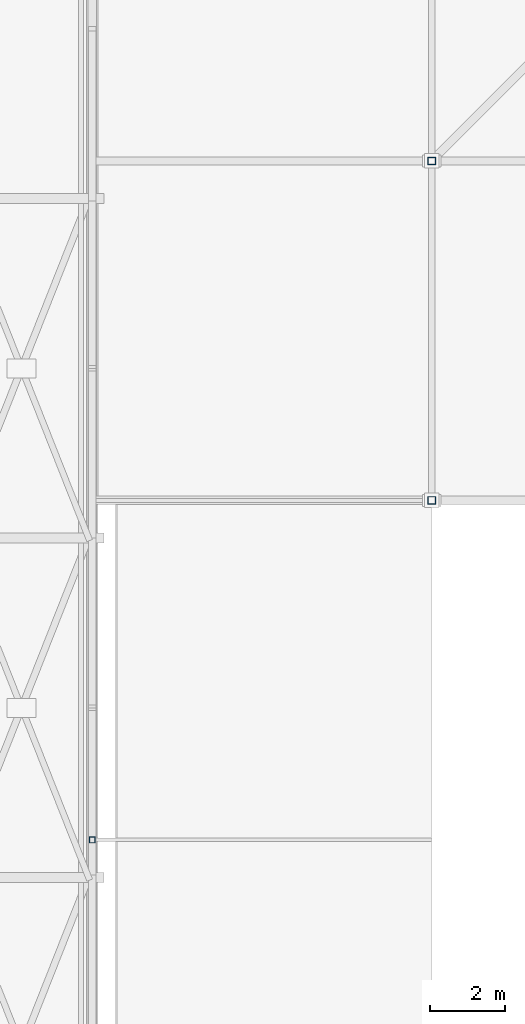
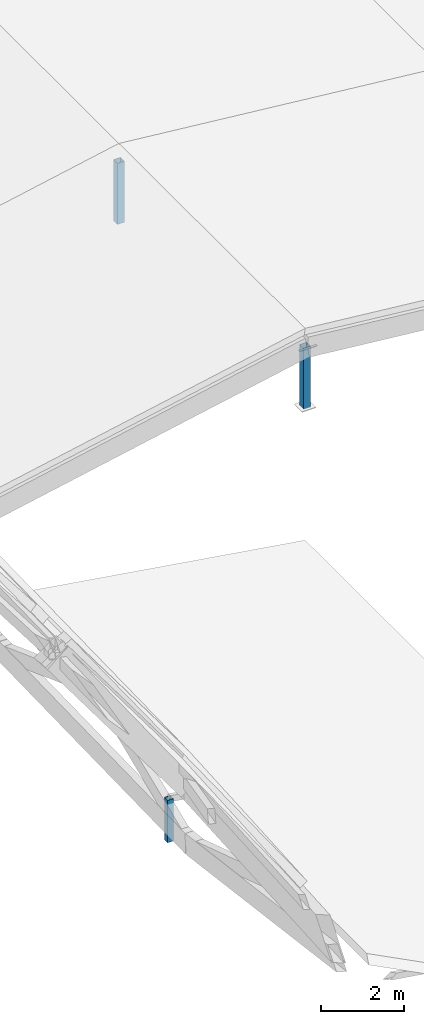
# One storey, part 10 of 93: 3 columns.
"""IFC4 building model written with IfcOpenShell, lengths in metres."""

from ifc_helpers import new_model, si_unit, direction, frame, origin, origin_2d, place, context, subcontext, project, spatial, hollow_rectangle, extrude, material, material_profile, profile_set, type_object, element, save


model = new_model("IFC4")

# Units and contexts
model_context = context("Model", 3, precision=1e-05, world=origin(), true_north=direction((0.0, 1.0)))
body_context = subcontext(model_context, "Body", "Model", "MODEL_VIEW")
ifc_project = project(units=[si_unit("LENGTHUNIT", "METRE"), si_unit("AREAUNIT", "SQUARE_METRE"), si_unit("VOLUMEUNIT", "CUBIC_METRE"), si_unit("PLANEANGLEUNIT", "RADIAN"), si_unit("MASSUNIT", "GRAM", prefix="KILO")], contexts=[model_context])

# Site, building, storey
site_placement = place(None, origin())
site = spatial("IfcSite", under=ifc_project, at=site_placement, CompositionType="ELEMENT")
building_placement = place(site_placement, origin())
building = spatial("IfcBuilding", under=site, at=building_placement, Name="Vourika Railside Aquatics Centre", CompositionType="ELEMENT")
storey_placement = place(building_placement, frame((0.0, 0.0, 21.89990234375)))
storey = spatial("IfcBuildingStorey", under=building, at=storey_placement, Name="Roof", CompositionType="ELEMENT", Elevation=21.89990234375)

# Columns
ifc_material = material(Name="Steel S355J2", Category="steel")
ifc_material_profile_1 = material_profile(ifc_material, hollow_rectangle(XDim=0.159912109375, YDim=0.159912109375, WallThickness=0.008056640625, at=origin_2d()), Name="SHS 160x160x8")
ifc_profile_set_1 = profile_set([ifc_material_profile_1], Name="Steel S355J2")
column_type_1 = type_object("IfcColumnType", Name="COL-STL-SHS160", PredefinedType="COLUMN", material=ifc_profile_set_1)
column_placement = place(storey_placement, frame((141.0, 31.0, -12.599853515625), z_axis=(0.0, 0.0, 1.0), x_axis=(1.0, 0.0, 0.0)))
element("IfcColumn", 1, at=column_placement, inside=storey, type_object=column_type_1, Name="Changing East Roof Post (141,31)", PredefinedType="COLUMN", context=body_context, shape_type="SweptSolid", body=[
    extrude(hollow_rectangle(XDim=0.159912109375, YDim=0.159912109375, WallThickness=0.008056640625, at=origin_2d()), origin(), (0.0, 0.0, 1.0), 1.25),
])
ifc_material_profile_2 = material_profile(ifc_material, hollow_rectangle(XDim=0.199951171875, YDim=0.199951171875, WallThickness=0.010009765625, at=origin_2d()), Name="SHS 200x200x10")
ifc_profile_set_2 = profile_set([ifc_material_profile_2], Name="Steel S355J2")
column_type_2 = type_object("IfcColumnType", Name="COL-STL-SHS200", PredefinedType="COLUMN", material=ifc_profile_set_2)
for number, where, z_axis, x_axis, name in (
    (2, (150.0, 40.0, -8.39990234375), (0.0, 0.0, 1.0), (1.0, 0.0, 0.0), "Foyer Canopy Ridge Post (150,40)"),
    (3, (150.0, 49.0, -8.39990234375), (0.0, 0.0, 1.0), (1.0, 0.0, 0.0), "Foyer Canopy Ridge Post (150,49)"),
):
    element("IfcColumn", number, at=place(storey_placement, frame(where, z_axis=z_axis, x_axis=x_axis)), inside=storey, type_object=column_type_2, Name=name, PredefinedType="COLUMN", context=body_context, shape_type="SweptSolid", body=[
        extrude(hollow_rectangle(XDim=0.199951171875, YDim=0.199951171875, WallThickness=0.010009765625, at=origin_2d()), origin(), (0.0, 0.0, 1.0), 1.800048828125),
    ])

save(model, "model.ifc")
